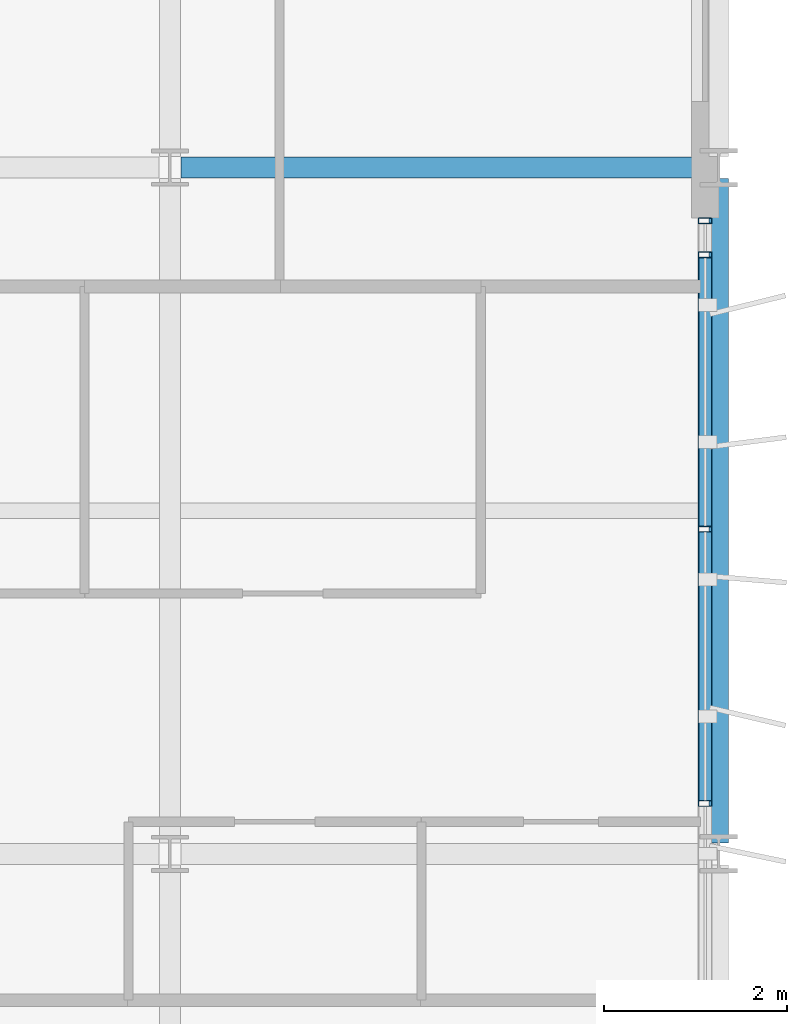
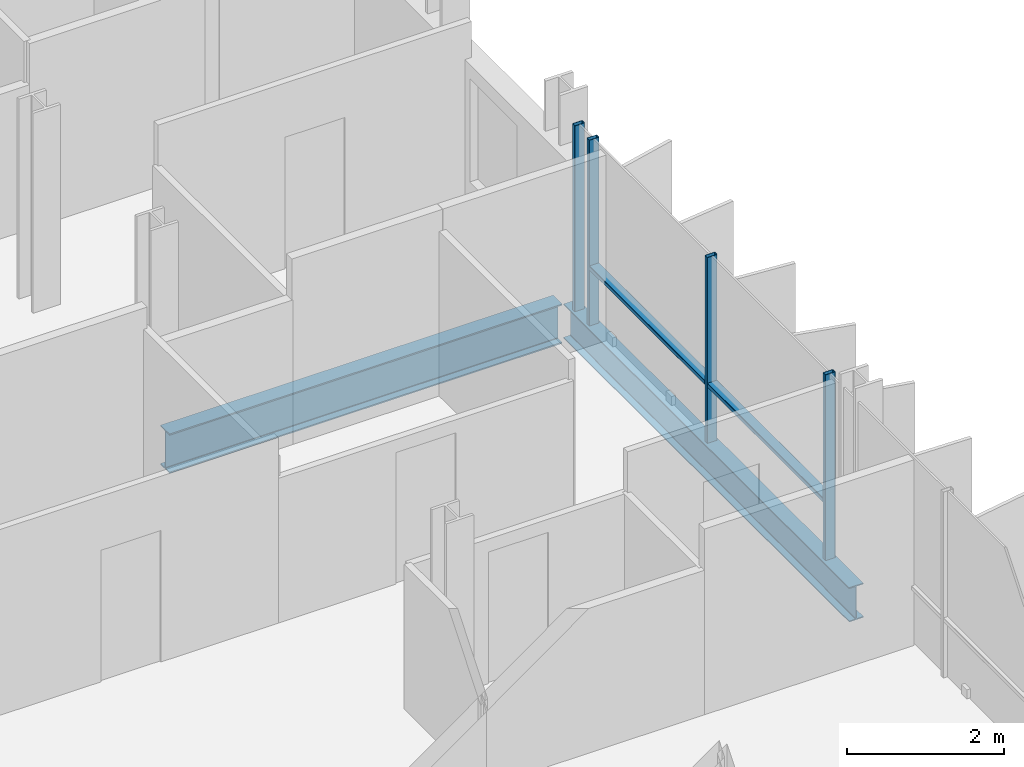
# One storey, part 21 of 40: 6 members, 2 beams, 1 element without a shape of its own.
"""IFC4 building model written with IfcOpenShell, lengths in metres."""

from ifc_helpers import new_model, si_unit, direction, frame, origin, origin_2d, place, context, subcontext, project, spatial, hollow_rectangle, i_section, extrude, material, layer, layer_set, material_profile, profile_set, type_object, element, aggregate, save


model = new_model("IFC4")

# Units and contexts
model_context = context("Model", 3, precision=1e-05, world=origin(), true_north=direction((0.0, 1.0)))
body_context = subcontext(model_context, "Body", "Model", "MODEL_VIEW")
ifc_project = project(units=[si_unit("LENGTHUNIT", "METRE"), si_unit("AREAUNIT", "SQUARE_METRE"), si_unit("VOLUMEUNIT", "CUBIC_METRE"), si_unit("PLANEANGLEUNIT", "RADIAN"), si_unit("MASSUNIT", "GRAM", prefix="KILO")], contexts=[model_context])

# Site, building, storey
site_placement = place(None, origin())
site = spatial("IfcSite", under=ifc_project, at=site_placement, CompositionType="ELEMENT")
building_placement = place(site_placement, origin())
building = spatial("IfcBuilding", under=site, at=building_placement, Name="Brevholm Reach", CompositionType="ELEMENT")
storey_placement = place(building_placement, frame((0.0, 0.0, 160.39990234375)))
storey = spatial("IfcBuildingStorey", under=building, at=storey_placement, Name="L48", CompositionType="ELEMENT", Elevation=160.39990234375)

# Beams
ifc_material_1 = material(Name="Structural Steel S355J2", Category="steel")
ifc_material_profile_1 = material_profile(ifc_material_1, i_section(OverallWidth=0.209228515625, OverallDepth=0.533203125, WebThickness=0.010009765625, FlangeThickness=0.015625, FilletRadius=0.0126953125, at=origin_2d()), Name="UKB 533x210x92")
ifc_profile_set_1 = profile_set([ifc_material_profile_1], Name="Structural Steel S355J2")
beam_type_1 = type_object("IfcBeamType", Name="BM-SP533", PredefinedType="SPANDREL", material=ifc_profile_set_1)
beam_1_placement = place(storey_placement, frame((60.0, 16.1201171875, -0.486572265625), z_axis=(0.0, 1.0, 0.0), x_axis=(-1.0, 0.0, 0.0)))
element("IfcBeam", 1, at=beam_1_placement, inside=storey, type_object=beam_type_1, Name="L48 SP-02 Framing Beam", PredefinedType="SPANDREL", context=body_context, shape_type="SweptSolid", body=[
    extrude(i_section(OverallWidth=0.209228515625, OverallDepth=0.533203125, WebThickness=0.010009765625, FlangeThickness=0.015625, FilletRadius=0.0126953125, at=origin_2d()), origin(), (0.0, 0.0, 1.0), 7.259765625),
])
ifc_material_2 = material(Name="Structural Steel S355J2", Category="steel")
ifc_material_profile_2 = material_profile(ifc_material_2, i_section(OverallWidth=0.22900390625, OverallDepth=0.6123046875, WebThickness=0.011962890625, FlangeThickness=0.01953125, FilletRadius=0.0126953125, at=origin_2d()), Name="UKB 610x229x125")
ifc_profile_set_2 = profile_set([ifc_material_profile_2], Name="Structural Steel S355J2")
beam_type_2 = type_object("IfcBeamType", Name="BM-SP610", PredefinedType="SPANDREL", material=ifc_profile_set_2)
beam_2_placement = place(storey_placement, frame((54.1201171875, 23.5, -0.526123046875), z_axis=(1.0, 0.0, 0.0), x_axis=(0.0, 1.0, 0.0)))
element("IfcBeam", 2, at=beam_2_placement, inside=storey, type_object=beam_type_2, Name="L48 SP-01 Framing Beam", PredefinedType="SPANDREL", context=body_context, shape_type="SweptSolid", body=[
    extrude(i_section(OverallWidth=0.22900390625, OverallDepth=0.6123046875, WebThickness=0.011962890625, FlangeThickness=0.01953125, FilletRadius=0.0126953125, at=origin_2d()), origin(), (0.0, 0.0, 1.0), 5.759765625),
])

# Curtain wall, members
ifc_material_3 = material(Name="Dark Anodised Aluminium 6063-T6 and Solar-Control Glass", Category="aluminium")
ifc_layer = layer(ifc_material_3, 0.14990234375)
ifc_layer_set = layer_set([ifc_layer], Name="Dark Anodised Aluminium 6063-T6 and Solar-Control Glass")
curtain_wall_type = type_object("IfcCurtainWallType", Name="CW-01", PredefinedType="NOTDEFINED", material=ifc_layer_set)
curtain_wall_placement = place(storey_placement, origin())
curtain_wall = element("IfcCurtainWall", 3, at=curtain_wall_placement, inside=storey, type_object=curtain_wall_type, Name="L48 Curtain Wall CW-01", PredefinedType="NOTDEFINED")
ifc_material_4 = material(Name="Dark Anodised Aluminium 6063-T6", Category="aluminium")
ifc_material_profile_3 = material_profile(ifc_material_4, hollow_rectangle(XDim=0.06494140625, YDim=0.14990234375, WallThickness=0.0048828125, InnerFilletRadius=0.0048828125, OuterFilletRadius=0.010009765625, at=origin_2d()), Name="RHS 150x65x5")
ifc_profile_set_3 = profile_set([ifc_material_profile_3], Name="Dark Anodised Aluminium 6063-T6")
member_type_1 = type_object("IfcMemberType", Name="CWM-150", PredefinedType="MULLION", material=ifc_profile_set_3)
member_1_placement = place(storey_placement, frame((59.85009765625, 16.550048828125, 0.0), z_axis=(0.0, 0.0, 1.0), x_axis=(0.0, 1.0, 0.0)))
member_1 = element("IfcMember", 4, at=member_1_placement, type_object=member_type_1, Name="CM-150 Mullion 3", PredefinedType="MULLION", context=body_context, shape_type="SweptSolid", body=[
    extrude(hollow_rectangle(XDim=0.06494140625, YDim=0.14990234375, WallThickness=0.0048828125, InnerFilletRadius=0.0048828125, OuterFilletRadius=0.010009765625, at=origin_2d()), origin(), (0.0, 0.0, 1.0), 2.880126953125),
])
member_2_placement = place(storey_placement, frame((59.85009765625, 19.550048828125, 0.0), z_axis=(0.0, 0.0, 1.0), x_axis=(0.0, 1.0, 0.0)))
member_2 = element("IfcMember", 5, at=member_2_placement, type_object=member_type_1, Name="CM-150 Mullion 4", PredefinedType="MULLION", context=body_context, shape_type="SweptSolid", body=[
    extrude(hollow_rectangle(XDim=0.06494140625, YDim=0.14990234375, WallThickness=0.0048828125, InnerFilletRadius=0.0048828125, OuterFilletRadius=0.010009765625, at=origin_2d()), origin(), (0.0, 0.0, 1.0), 2.880126953125),
])
member_3_placement = place(storey_placement, frame((59.85009765625, 22.550048828125, 0.0), z_axis=(0.0, 0.0, 1.0), x_axis=(0.0, 1.0, 0.0)))
member_3 = element("IfcMember", 6, at=member_3_placement, type_object=member_type_1, Name="CM-150 Mullion 5", PredefinedType="MULLION", context=body_context, shape_type="SweptSolid", body=[
    extrude(hollow_rectangle(XDim=0.06494140625, YDim=0.14990234375, WallThickness=0.0048828125, InnerFilletRadius=0.0048828125, OuterFilletRadius=0.010009765625, at=origin_2d()), origin(), (0.0, 0.0, 1.0), 2.880126953125),
])
member_4_placement = place(storey_placement, frame((59.85009765625, 22.91748046875, 0.0), z_axis=(0.0, 0.0, 1.0), x_axis=(0.0, 1.0, 0.0)))
member_4 = element("IfcMember", 7, at=member_4_placement, type_object=member_type_1, Name="CM-150 Mullion 6", PredefinedType="MULLION", context=body_context, shape_type="SweptSolid", body=[
    extrude(hollow_rectangle(XDim=0.06494140625, YDim=0.14990234375, WallThickness=0.0048828125, InnerFilletRadius=0.0048828125, OuterFilletRadius=0.010009765625, at=origin_2d()), origin(), (0.0, 0.0, 1.0), 2.880126953125),
])
ifc_material_5 = material(Name="Dark Anodised Aluminium 6063-T6", Category="aluminium")
ifc_material_profile_4 = material_profile(ifc_material_5, hollow_rectangle(XDim=0.06494140625, YDim=0.14990234375, WallThickness=0.0048828125, InnerFilletRadius=0.0048828125, OuterFilletRadius=0.010009765625, at=origin_2d()), Name="RHS 150x65x5")
ifc_profile_set_4 = profile_set([ifc_material_profile_4], Name="Dark Anodised Aluminium 6063-T6")
member_type_2 = type_object("IfcMemberType", Name="CWT-150", PredefinedType="NOTDEFINED", material=ifc_profile_set_4)
member_5_placement = place(storey_placement, frame((59.85009765625, 16.58251953125, 0.900146484375), z_axis=(0.0, 1.0, 0.0), x_axis=(0.0, 0.0, 1.0)))
member_5 = element("IfcMember", 8, at=member_5_placement, type_object=member_type_2, Name="CT-150 Transom 3.1", ObjectType="TRANSOM", PredefinedType="USERDEFINED", context=body_context, shape_type="SweptSolid", body=[
    extrude(hollow_rectangle(XDim=0.06494140625, YDim=0.14990234375, WallThickness=0.0048828125, InnerFilletRadius=0.0048828125, OuterFilletRadius=0.010009765625, at=origin_2d()), origin(), (0.0, 0.0, 1.0), 2.93505859375),
])
member_6_placement = place(storey_placement, frame((59.85009765625, 19.58251953125, 0.900146484375), z_axis=(0.0, 1.0, 0.0), x_axis=(0.0, 0.0, 1.0)))
member_6 = element("IfcMember", 9, at=member_6_placement, type_object=member_type_2, Name="CT-150 Transom 4.1", ObjectType="TRANSOM", PredefinedType="USERDEFINED", context=body_context, shape_type="SweptSolid", body=[
    extrude(hollow_rectangle(XDim=0.06494140625, YDim=0.14990234375, WallThickness=0.0048828125, InnerFilletRadius=0.0048828125, OuterFilletRadius=0.010009765625, at=origin_2d()), origin(), (0.0, 0.0, 1.0), 2.93505859375),
])
aggregate(curtain_wall, [member_1, member_2, member_3, member_4, member_5, member_6])

save(model, "model.ifc")
